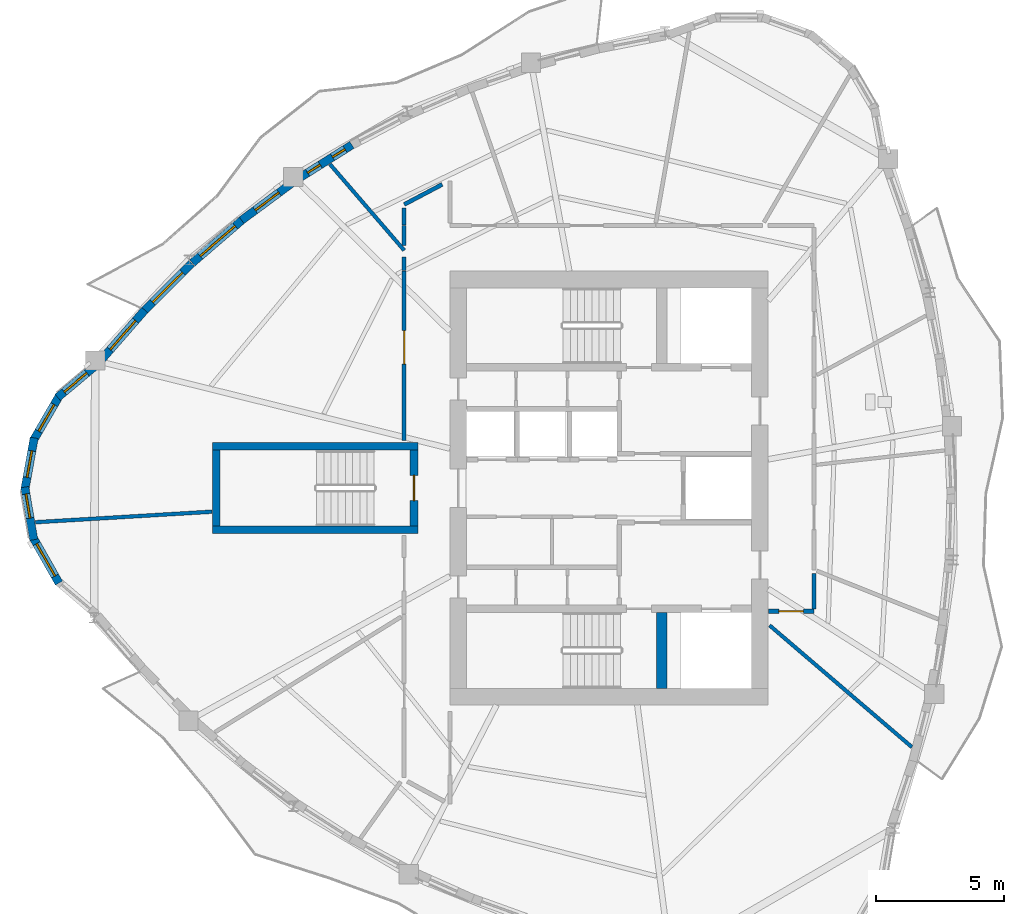
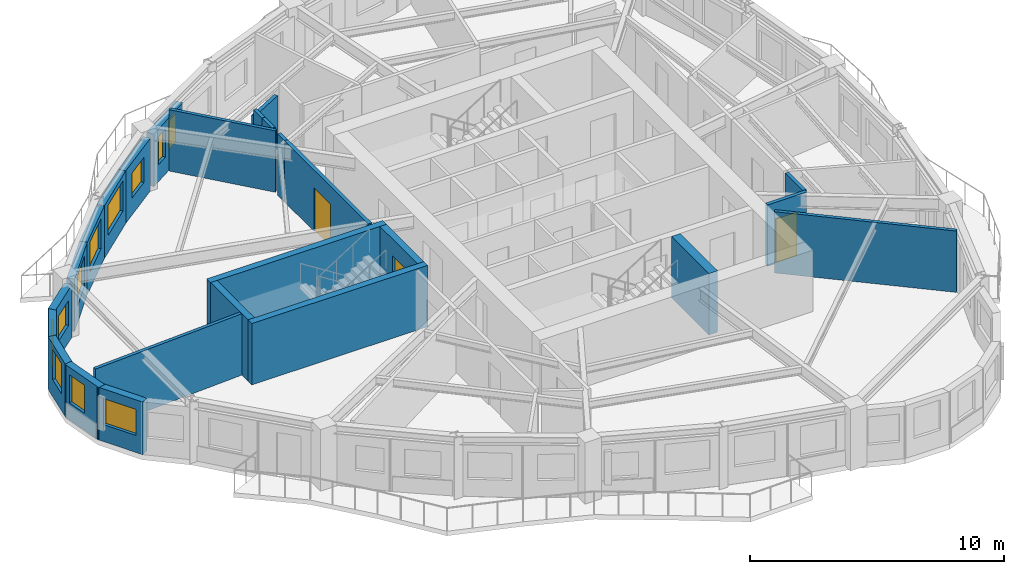
# One storey, part 4 of 12: 25 walls, 11 windows, 3 doors, 14 openings.
"""IFC4 building model written with IfcOpenShell, lengths in metres."""

from ifc_helpers import new_model, si_unit, direction, frame, frame_2d, origin, place, context, subcontext, project, spatial, rectangle, extrude, source, transform, mapped, material, layer, layer_set, type_object, element, fill, save


model = new_model("IFC4")

# Units and contexts
model_context = context("Model", 3, precision=1e-05, world=origin(), true_north=direction((0.0, 1.0)))
body_context = subcontext(model_context, "Body", "Model", "MODEL_VIEW")
ifc_project = project(units=[si_unit("LENGTHUNIT", "METRE"), si_unit("AREAUNIT", "SQUARE_METRE"), si_unit("VOLUMEUNIT", "CUBIC_METRE"), si_unit("PLANEANGLEUNIT", "RADIAN"), si_unit("MASSUNIT", "GRAM", prefix="KILO")], contexts=[model_context])

# Site, building, storey
site_placement = place(None, origin())
site = spatial("IfcSite", under=ifc_project, at=site_placement, CompositionType="ELEMENT")
building_placement = place(site_placement, origin())
building = spatial("IfcBuilding", under=site, at=building_placement, Name="Qafzar Sky-Pleat Residences", CompositionType="ELEMENT")
storey_placement = place(building_placement, frame((0.0, 0.0, 184.199951171875)))
storey = spatial("IfcBuildingStorey", under=building, at=storey_placement, Name="L55", CompositionType="ELEMENT", Elevation=184.199951171875)

# Wall, opening, door
ifc_material_1 = material(Name="Acoustic gypsum plasterboard partition", Category="gypsum")
ifc_layer_1 = layer(ifc_material_1, 0.159912109375)
ifc_layer_set_1 = layer_set([ifc_layer_1], Name="Acoustic gypsum plasterboard partition")
wall_type_1 = type_object("IfcWallType", Name="PART-COR-160", PredefinedType="PARTITIONING", material=ifc_layer_set_1)
wall_1_placement = place(storey_placement, frame((22.3701171875, 27.85009765625, 0.0), z_axis=(0.0, 0.0, 1.0), x_axis=(0.0, 1.0, 0.0)))
wall_1 = element("IfcWall", 1, at=wall_1_placement, inside=storey, type_object=wall_type_1, Name="L55 Partition Wall PART-L55-PW-001", PredefinedType="PARTITIONING", context=body_context, shape_type="SweptSolid", body=[
    extrude(rectangle(XDim=6.599853515625, YDim=0.159912109375, at=frame_2d((3.2998046875, 0.0))), origin(), (0.0, 0.0, 1.0), 2.949951171875),
])
opening_1_placement = place(wall_1_placement, frame((2.9814453125, 0.0, 0.0)))
opening_1 = element("IfcOpeningElement", 2, at=opening_1_placement, cuts=wall_1, Name="Opening ID-05", PredefinedType="OPENING", context=body_context, shape_type="SweptSolid", body=[
    extrude(rectangle(XDim=1.300048828125, YDim=2.10009765625, at=frame_2d((0.64990234375, 1.050048828125))), frame((0.0, 0.08984375, 0.0), z_axis=(0.0, -1.0, 0.0), x_axis=(1.0, 0.0, 0.0)), (0.0, 0.0, 1.0), 0.179931640625),
])
ifc_material_2 = material(Name="Timber-faced fire door", Category="wood")
door_type_1 = type_object("IfcDoorType", Name="DR-LNG-1300", OperationType="DOUBLE_DOOR_SINGLE_SWING", PredefinedType="DOOR", material=ifc_material_2)
shared_shape_1 = source(origin(), body_context, "Body", "SweptSolid", [
    extrude(rectangle(XDim=1.300048828125, YDim=2.10009765625, at=frame_2d((0.64990234375, 1.050048828125))), frame((0.0, 0.02490234375, 0.0), z_axis=(0.0, -1.0, 0.0), x_axis=(1.0, 0.0, 0.0)), (0.0, 0.0, 1.0), 0.050048828125),
])
door_1_placement = place(opening_1_placement, origin())
door_1 = element("IfcDoor", 3, at=door_1_placement, inside=storey, type_object=door_type_1, Name="L55 Tutorial Huddle Room Door", OperationType="DOUBLE_DOOR_SINGLE_SWING", OverallHeight=2.10009765625, OverallWidth=1.300048828125, PredefinedType="DOOR", context=body_context, shape_type="MappedRepresentation", body=[
    mapped(shared_shape_1, transform((0.0, 0.0, 0.0), x_axis=(1.0, 0.0, 0.0), y_axis=(0.0, 1.0, 0.0), z_axis=(0.0, 0.0, 1.0), scale=1.0)),
])
fill(opening_1, door_1)

wall_2_placement = place(storey_placement, frame((38.330078125, 21.199951171875, 0.0), z_axis=(0.0, 0.0, 1.0), x_axis=(-1.0, 0.0, 0.0)))
wall_2 = element("IfcWall", 4, at=wall_2_placement, inside=storey, type_object=wall_type_1, Name="L55 Partition Wall PART-L55-PW-011", PredefinedType="PARTITIONING", context=body_context, shape_type="SweptSolid", body=[
    extrude(rectangle(XDim=1.77197265625, YDim=0.159912109375, at=frame_2d((0.885986328125, 0.0))), origin(), (0.0, 0.0, 1.0), 2.949951171875),
])
opening_2_placement = place(wall_2_placement, frame((0.409912109375, 0.0, 0.0)))
opening_2 = element("IfcOpeningElement", 5, at=opening_2_placement, cuts=wall_2, Name="Opening ID-06", PredefinedType="OPENING", context=body_context, shape_type="SweptSolid", body=[
    extrude(rectangle(XDim=0.9599609375, YDim=2.10009765625, at=frame_2d((0.47998046875, 1.050048828125))), frame((0.0, 0.08984375, 0.0), z_axis=(0.0, -1.0, 0.0), x_axis=(1.0, 0.0, 0.0)), (0.0, 0.0, 1.0), 0.179931640625),
])
door_type_2 = type_object("IfcDoorType", Name="DR-STD-960", OperationType="NOTDEFINED", PredefinedType="DOOR", material=ifc_material_2)
shared_shape_2 = source(origin(), body_context, "Body", "SweptSolid", [
    extrude(rectangle(XDim=0.9599609375, YDim=2.10009765625, at=frame_2d((0.47998046875, 1.050048828125))), frame((0.0, 0.02490234375, 0.0), z_axis=(0.0, -1.0, 0.0), x_axis=(1.0, 0.0, 0.0)), (0.0, 0.0, 1.0), 0.050048828125),
])
door_2_placement = place(opening_2_placement, origin())
door_2 = element("IfcDoor", 6, at=door_2_placement, inside=storey, type_object=door_type_2, Name="L55 Reading Library Door", OperationType="SINGLE_SWING_RIGHT", OverallHeight=2.10009765625, OverallWidth=0.9599609375, PredefinedType="DOOR", context=body_context, shape_type="MappedRepresentation", body=[
    mapped(shared_shape_2, transform((0.0, 0.0, 0.0), x_axis=(1.0, 0.0, 0.0), y_axis=(0.0, 1.0, 0.0), z_axis=(0.0, 0.0, 1.0), scale=1.0)),
])
fill(opening_2, door_2)

# Walls
wall_3_placement = place(storey_placement, frame((22.3701171875, 37.044921875, 0.0), z_axis=(0.0, 0.0, 1.0), x_axis=(0.884434803915, 0.466663773635, 0.0)))
element("IfcWall", 7, at=wall_3_placement, inside=storey, type_object=wall_type_1, Name="L55 Partition Wall PART-L55-PW-027", PredefinedType="PARTITIONING", context=body_context, shape_type="SweptSolid", body=[
    extrude(rectangle(XDim=1.677734375, YDim=0.159912109375, at=frame_2d((0.8388671875, 0.0))), origin(), (0.0, 0.0, 1.0), 2.55810546875),
])
wall_4_placement = place(storey_placement, frame((38.330078125, 21.2880859375, 0.0), z_axis=(0.0, 0.0, 1.0), x_axis=(0.0, 1.0, 0.0)))
element("IfcWall", 8, at=wall_4_placement, inside=storey, type_object=wall_type_1, Name="L55 Partition Wall PART-L55-PW-028", PredefinedType="PARTITIONING", context=body_context, shape_type="SweptSolid", body=[
    extrude(rectangle(XDim=1.383056640625, YDim=0.159912109375, at=frame_2d((0.69140625, 0.0))), origin(), (0.0, 0.0, 1.0), 2.949951171875),
])
wall_5_placement = place(storey_placement, frame((22.3701171875, 35.447998046875, 0.0), z_axis=(0.0, 0.0, 1.0), x_axis=(0.0, 1.0, 0.0)))
element("IfcWall", 9, at=wall_5_placement, inside=storey, type_object=wall_type_1, Name="L55 Partition Wall PART-L55-PW-029", PredefinedType="PARTITIONING", context=body_context, shape_type="SweptSolid", body=[
    extrude(rectangle(XDim=0.781982421875, YDim=0.159912109375, at=frame_2d((0.39111328125, 0.0))), origin(), (0.0, 0.0, 1.0), 2.949951171875),
])
wall_6_placement = place(storey_placement, frame((22.3701171875, 36.2451171875, 0.0), z_axis=(0.0, 0.0, 1.0), x_axis=(0.0, 1.0, 0.0)))
element("IfcWall", 10, at=wall_6_placement, inside=storey, type_object=wall_type_1, Name="L55 Partition Wall PART-L55-PW-030", PredefinedType="PARTITIONING", context=body_context, shape_type="SweptSolid", body=[
    extrude(rectangle(XDim=0.6591796875, YDim=0.159912109375, at=frame_2d((0.32958984375, 0.0))), origin(), (0.0, 0.0, 1.0), 2.949951171875),
])
wall_7_placement = place(storey_placement, frame((22.3701171875, 34.465087890625, 0.0), z_axis=(0.0, 0.0, 1.0), x_axis=(0.0, 1.0, 0.0)))
element("IfcWall", 11, at=wall_7_placement, inside=storey, type_object=wall_type_1, Name="L55 Partition Wall PART-L55-PW-031", PredefinedType="PARTITIONING", context=body_context, shape_type="SweptSolid", body=[
    extrude(rectangle(XDim=0.5439453125, YDim=0.159912109375, at=frame_2d((0.27197265625, 0.0))), origin(), (0.0, 0.0, 1.0), 2.949951171875),
])
ifc_layer_2 = layer(ifc_material_1, 0.14501953125)
ifc_layer_set_2 = layer_set([ifc_layer_2], Name="Acoustic gypsum plasterboard partition")
wall_type_2 = type_object("IfcWallType", Name="PART-UNIT-145", PredefinedType="PARTITIONING", material=ifc_layer_set_2)
wall_8_placement = place(storey_placement, frame((36.603271484375, 20.650390625, 0.0), z_axis=(0.0, 0.0, 1.0), x_axis=(0.759924803985, -0.650010993975, 0.0)))
element("IfcWall", 12, at=wall_8_placement, inside=storey, type_object=wall_type_2, Name="L55 Partition Wall PART-L55-PW-014", PredefinedType="PARTITIONING", context=body_context, shape_type="SweptSolid", body=[
    extrude(rectangle(XDim=7.29443359375, YDim=0.14501953125, at=frame_2d((3.647216796875, 0.0))), origin(), (0.0, 0.0, 1.0), 2.949951171875),
])
wall_9_placement = place(storey_placement, frame((8.001220703125, 24.66748046875, 0.0), z_axis=(0.0, 0.0, 1.0), x_axis=(0.998224720456, 0.059560116444, 0.0)))
element("IfcWall", 13, at=wall_9_placement, inside=storey, type_object=wall_type_2, Name="L55 Partition Wall PART-L55-PW-015", PredefinedType="PARTITIONING", context=body_context, shape_type="SweptSolid", body=[
    extrude(rectangle(XDim=6.898681640625, YDim=0.14501953125, at=frame_2d((3.44921875, 0.0))), origin(), (0.0, 0.0, 1.0), 2.949951171875),
])
wall_10_placement = place(storey_placement, frame((19.477294921875, 38.61572265625, 0.0), z_axis=(0.0, 0.0, 1.0), x_axis=(0.652826266908, -0.757507666783, 0.0)))
element("IfcWall", 14, at=wall_10_placement, inside=storey, type_object=wall_type_2, Name="L55 Partition Wall PART-L55-PW-021", PredefinedType="PARTITIONING", context=body_context, shape_type="SweptSolid", body=[
    extrude(rectangle(XDim=4.43115234375, YDim=0.14501953125, at=frame_2d((2.215576171875, 0.0))), origin(), (0.0, 0.0, 1.0), 2.949951171875),
])

# Wall, opening, window
ifc_material_3 = material(Name="Precast concrete C40/50 with honed Riyadh limestone", Category="concrete")
ifc_layer_3 = layer(ifc_material_3, 0.320068359375)
ifc_layer_set_3 = layer_set([ifc_layer_3], Name="Precast concrete C40/50 with honed Riyadh limestone")
wall_type_3 = type_object("IfcWallType", Name="WALL-EXT-320", PredefinedType="SOLIDWALL", material=ifc_layer_set_3)
wall_11_placement = place(storey_placement, frame((10.314453125, 30.73828125, 0.0), z_axis=(0.0, 0.0, 1.0), x_axis=(-0.766567176116, -0.642164125829, 0.0)))
wall_11 = element("IfcWall", 15, at=wall_11_placement, inside=storey, type_object=wall_type_3, Name="L55 Limestone Facade Wall 1", PredefinedType="SOLIDWALL", context=body_context, shape_type="SweptSolid", body=[
    extrude(rectangle(XDim=1.878173828125, YDim=0.320068359375, at=frame_2d((0.93896484375, 0.0))), origin(), (0.0, 0.0, 1.0), 2.530029296875),
])
opening_3_placement = place(wall_11_placement, frame((0.39892578125, 0.0, 0.820068359375)))
opening_3 = element("IfcOpeningElement", 16, at=opening_3_placement, cuts=wall_11, Name="Opening WN-16", PredefinedType="OPENING", context=body_context, shape_type="SweptSolid", body=[
    extrude(rectangle(XDim=1.14990234375, YDim=1.199951171875, at=frame_2d((0.574951171875, 0.60009765625))), frame((0.0, 0.169921875, 0.0), z_axis=(0.0, -1.0, 0.0), x_axis=(1.0, 0.0, 0.0)), (0.0, 0.0, 1.0), 0.340087890625),
])
ifc_material_4 = material(Name="Solar-control low-E glass in bronze aluminium frame", Category="glass")
window_type_1 = type_object("IfcWindowType", Name="WIN-16", PartitioningType="SINGLE_PANEL", PredefinedType="WINDOW", material=ifc_material_4)
shared_shape_3 = source(origin(), body_context, "Body", "SweptSolid", [
    extrude(rectangle(XDim=1.14990234375, YDim=1.199951171875, at=frame_2d((0.574951171875, 0.60009765625))), frame((0.0, 0.030029296875, 0.0), z_axis=(0.0, -1.0, 0.0), x_axis=(1.0, 0.0, 0.0)), (0.0, 0.0, 1.0), 0.06005859375),
])
window_1_placement = place(opening_3_placement, origin())
window_1 = element("IfcWindow", 17, at=window_1_placement, inside=storey, type_object=window_type_1, Name="L55 Punched Facade Window 01", OverallHeight=1.199951171875, OverallWidth=1.14990234375, PartitioningType="SINGLE_PANEL", PredefinedType="WINDOW", context=body_context, shape_type="MappedRepresentation", body=[
    mapped(shared_shape_3, transform((0.0, 0.0, 0.0), x_axis=(1.0, 0.0, 0.0), y_axis=(0.0, 1.0, 0.0), z_axis=(0.0, 0.0, 1.0), scale=1.0)),
])
fill(opening_3, window_1)

wall_12_placement = place(storey_placement, frame((8.95849609375, 29.6318359375, 0.0), z_axis=(0.0, 0.0, 1.0), x_axis=(-0.502053430046, -0.864836605018, 0.0)))
wall_12 = element("IfcWall", 18, at=wall_12_placement, inside=storey, type_object=wall_type_3, Name="L55 Limestone Facade Wall 2", PredefinedType="SOLIDWALL", context=body_context, shape_type="SweptSolid", body=[
    extrude(rectangle(XDim=2.080810546875, YDim=0.320068359375, at=frame_2d((1.04052734375, 0.0))), origin(), (0.0, 0.0, 1.0), 2.530029296875),
])
opening_4_placement = place(wall_12_placement, frame((0.4404296875, 0.0, 0.820068359375)))
opening_4 = element("IfcOpeningElement", 19, at=opening_4_placement, cuts=wall_12, Name="Opening WN-05", PredefinedType="OPENING", context=body_context, shape_type="SweptSolid", body=[
    extrude(rectangle(XDim=1.199951171875, YDim=1.449951171875, at=frame_2d((0.60009765625, 0.72509765625))), frame((0.0, 0.169921875, 0.0), z_axis=(0.0, -1.0, 0.0), x_axis=(1.0, 0.0, 0.0)), (0.0, 0.0, 1.0), 0.340087890625),
])
window_type_2 = type_object("IfcWindowType", Name="WIN-05", PartitioningType="SINGLE_PANEL", PredefinedType="WINDOW", material=ifc_material_4)
shared_shape_4 = source(origin(), body_context, "Body", "SweptSolid", [
    extrude(rectangle(XDim=1.199951171875, YDim=1.449951171875, at=frame_2d((0.60009765625, 0.72509765625))), frame((0.0, 0.030029296875, 0.0), z_axis=(0.0, -1.0, 0.0), x_axis=(1.0, 0.0, 0.0)), (0.0, 0.0, 1.0), 0.06005859375),
])
window_2_placement = place(opening_4_placement, origin())
window_2 = element("IfcWindow", 20, at=window_2_placement, inside=storey, type_object=window_type_2, Name="L55 Punched Facade Window 02", OverallHeight=1.449951171875, OverallWidth=1.199951171875, PartitioningType="SINGLE_PANEL", PredefinedType="WINDOW", context=body_context, shape_type="MappedRepresentation", body=[
    mapped(shared_shape_4, transform((0.0, 0.0, 0.0), x_axis=(1.0, 0.0, 0.0), y_axis=(0.0, 1.0, 0.0), z_axis=(0.0, 0.0, 1.0), scale=1.0)),
])
fill(opening_4, window_2)

wall_13_placement = place(storey_placement, frame((7.95849609375, 27.954345703125, 0.0), z_axis=(0.0, 0.0, 1.0), x_axis=(-0.177625721103, -0.984098116654, 0.0)))
wall_13 = element("IfcWall", 21, at=wall_13_placement, inside=storey, type_object=wall_type_3, Name="L55 Limestone Facade Wall 3", PredefinedType="SOLIDWALL", context=body_context, shape_type="SweptSolid", body=[
    extrude(rectangle(XDim=2.0810546875, YDim=0.320068359375, at=frame_2d((1.04052734375, 0.0))), origin(), (0.0, 0.0, 1.0), 2.530029296875),
])
opening_5_placement = place(wall_13_placement, frame((0.515380859375, 0.0, 0.820068359375)))
opening_5 = element("IfcOpeningElement", 22, at=opening_5_placement, cuts=wall_13, Name="Opening WN-06", PredefinedType="OPENING", context=body_context, shape_type="SweptSolid", body=[
    extrude(rectangle(XDim=1.050048828125, YDim=1.449951171875, at=frame_2d((0.52490234375, 0.72509765625))), frame((0.0, 0.169921875, 0.0), z_axis=(0.0, -1.0, 0.0), x_axis=(1.0, 0.0, 0.0)), (0.0, 0.0, 1.0), 0.340087890625),
])
window_type_3 = type_object("IfcWindowType", Name="WIN-06", PartitioningType="SINGLE_PANEL", PredefinedType="WINDOW", material=ifc_material_4)
shared_shape_5 = source(origin(), body_context, "Body", "SweptSolid", [
    extrude(rectangle(XDim=1.050048828125, YDim=1.449951171875, at=frame_2d((0.52490234375, 0.72509765625))), frame((0.0, 0.030029296875, 0.0), z_axis=(0.0, -1.0, 0.0), x_axis=(1.0, 0.0, 0.0)), (0.0, 0.0, 1.0), 0.06005859375),
])
window_3_placement = place(opening_5_placement, origin())
window_3 = element("IfcWindow", 23, at=window_3_placement, inside=storey, type_object=window_type_3, Name="L55 Punched Facade Window 03", OverallHeight=1.449951171875, OverallWidth=1.050048828125, PartitioningType="SINGLE_PANEL", PredefinedType="WINDOW", context=body_context, shape_type="MappedRepresentation", body=[
    mapped(shared_shape_5, transform((0.0, 0.0, 0.0), x_axis=(1.0, 0.0, 0.0), y_axis=(0.0, 1.0, 0.0), z_axis=(0.0, 0.0, 1.0), scale=1.0)),
])
fill(opening_5, window_3)

wall_14_placement = place(storey_placement, frame((7.589599609375, 26.03662109375, 0.0), z_axis=(0.0, 0.0, 1.0), x_axis=(0.167993405511, -0.985788119073, 0.0)))
wall_14 = element("IfcWall", 24, at=wall_14_placement, inside=storey, type_object=wall_type_3, Name="L55 Limestone Facade Wall 4", PredefinedType="SOLIDWALL", context=body_context, shape_type="SweptSolid", body=[
    extrude(rectangle(XDim=2.0810546875, YDim=0.320068359375, at=frame_2d((1.04052734375, 0.0))), origin(), (0.0, 0.0, 1.0), 2.530029296875),
])
opening_6_placement = place(wall_14_placement, frame((0.27294921875, 0.0, 0.820068359375)))
opening_6 = element("IfcOpeningElement", 25, at=opening_6_placement, cuts=wall_14, Name="Opening WN-12", PredefinedType="OPENING", context=body_context, shape_type="SweptSolid", body=[
    extrude(rectangle(XDim=0.949951171875, YDim=1.35009765625, at=frame_2d((0.47509765625, 0.675048828125))), frame((0.0, 0.169921875, 0.0), z_axis=(0.0, -1.0, 0.0), x_axis=(1.0, 0.0, 0.0)), (0.0, 0.0, 1.0), 0.340087890625),
])
window_type_4 = type_object("IfcWindowType", Name="WIN-12", PartitioningType="SINGLE_PANEL", PredefinedType="WINDOW", material=ifc_material_4)
shared_shape_6 = source(origin(), body_context, "Body", "SweptSolid", [
    extrude(rectangle(XDim=0.949951171875, YDim=1.35009765625, at=frame_2d((0.47509765625, 0.675048828125))), frame((0.0, 0.030029296875, 0.0), z_axis=(0.0, -1.0, 0.0), x_axis=(1.0, 0.0, 0.0)), (0.0, 0.0, 1.0), 0.06005859375),
])
window_4_placement = place(opening_6_placement, origin())
window_4 = element("IfcWindow", 26, at=window_4_placement, inside=storey, type_object=window_type_4, Name="L55 Punched Facade Window 04", OverallHeight=1.35009765625, OverallWidth=0.949951171875, PartitioningType="SINGLE_PANEL", PredefinedType="WINDOW", context=body_context, shape_type="MappedRepresentation", body=[
    mapped(shared_shape_6, transform((0.0, 0.0, 0.0), x_axis=(1.0, 0.0, 0.0), y_axis=(0.0, 1.0, 0.0), z_axis=(0.0, 0.0, 1.0), scale=1.0)),
])
fill(opening_6, window_4)

wall_15_placement = place(storey_placement, frame((7.8955078125, 24.107666015625, 0.0), z_axis=(0.0, 0.0, 1.0), x_axis=(0.493660675866, -0.869654607936, 0.0)))
wall_15 = element("IfcWall", 27, at=wall_15_placement, inside=storey, type_object=wall_type_3, Name="L55 Limestone Facade Wall 5", PredefinedType="SOLIDWALL", context=body_context, shape_type="SweptSolid", body=[
    extrude(rectangle(XDim=2.0810546875, YDim=0.320068359375, at=frame_2d((1.04052734375, 0.0))), origin(), (0.0, 0.0, 1.0), 2.530029296875),
])
opening_7_placement = place(wall_15_placement, frame((0.3154296875, 0.0, 0.820068359375)))
opening_7 = element("IfcOpeningElement", 28, at=opening_7_placement, cuts=wall_15, Name="Opening WN-15", PredefinedType="OPENING", context=body_context, shape_type="SweptSolid", body=[
    extrude(rectangle(XDim=1.449951171875, YDim=1.25, at=frame_2d((0.72509765625, 0.625))), frame((0.0, 0.169921875, 0.0), z_axis=(0.0, -1.0, 0.0), x_axis=(1.0, 0.0, 0.0)), (0.0, 0.0, 1.0), 0.340087890625),
])
window_type_5 = type_object("IfcWindowType", Name="WIN-15", PartitioningType="SINGLE_PANEL", PredefinedType="WINDOW", material=ifc_material_4)
shared_shape_7 = source(origin(), body_context, "Body", "SweptSolid", [
    extrude(rectangle(XDim=1.449951171875, YDim=1.25, at=frame_2d((0.72509765625, 0.625))), frame((0.0, 0.030029296875, 0.0), z_axis=(0.0, -1.0, 0.0), x_axis=(1.0, 0.0, 0.0)), (0.0, 0.0, 1.0), 0.06005859375),
])
window_5_placement = place(opening_7_placement, origin())
window_5 = element("IfcWindow", 29, at=window_5_placement, inside=storey, type_object=window_type_5, Name="L55 Punched Facade Window 05", OverallHeight=1.25, OverallWidth=1.449951171875, PartitioningType="SINGLE_PANEL", PredefinedType="WINDOW", context=body_context, shape_type="MappedRepresentation", body=[
    mapped(shared_shape_7, transform((0.0, 0.0, 0.0), x_axis=(1.0, 0.0, 0.0), y_axis=(0.0, 1.0, 0.0), z_axis=(0.0, 0.0, 1.0), scale=1.0)),
])
fill(opening_7, window_5)

# Wall, openings, windows
wall_16_placement = place(storey_placement, frame((20.333984375, 39.365966796875, 0.0), z_axis=(0.0, 0.0, 1.0), x_axis=(-0.84643016858, -0.532499736825, 0.0)))
wall_16 = element("IfcWall", 30, at=wall_16_placement, inside=storey, type_object=wall_type_3, Name="L55 Limestone Facade Wall 44", PredefinedType="SOLIDWALL", context=body_context, shape_type="SweptSolid", body=[
    extrude(rectangle(XDim=2.437255859375, YDim=0.320068359375, at=frame_2d((1.21875, 0.0))), origin(), (0.0, 0.0, 1.0), 2.530029296875),
])
opening_8_placement = place(wall_16_placement, frame((0.314697265625, 0.0, 0.820068359375)))
opening_8 = element("IfcOpeningElement", 31, at=opening_8_placement, cuts=wall_16, Name="Opening WN-17", PredefinedType="OPENING", context=body_context, shape_type="SweptSolid", body=[
    extrude(rectangle(XDim=0.580078125, YDim=1.35009765625, at=frame_2d((0.2900390625, 0.675048828125))), frame((0.0, 0.169921875, 0.0), z_axis=(0.0, -1.0, 0.0), x_axis=(1.0, 0.0, 0.0)), (0.0, 0.0, 1.0), 0.340087890625),
])
opening_9_placement = place(wall_16_placement, frame((1.45849609375, 0.0, 0.820068359375)))
opening_9 = element("IfcOpeningElement", 32, at=opening_9_placement, cuts=wall_16, Name="Opening WN-17", PredefinedType="OPENING", context=body_context, shape_type="SweptSolid", body=[
    extrude(rectangle(XDim=0.580078125, YDim=1.35009765625, at=frame_2d((0.2900390625, 0.675048828125))), frame((0.0, 0.169921875, 0.0), z_axis=(0.0, -1.0, 0.0), x_axis=(1.0, 0.0, 0.0)), (0.0, 0.0, 1.0), 0.340087890625),
])
window_type_6 = type_object("IfcWindowType", Name="WIN-17", PartitioningType="SINGLE_PANEL", PredefinedType="WINDOW", material=ifc_material_4)
shared_shape_8 = source(origin(), body_context, "Body", "SweptSolid", [
    extrude(rectangle(XDim=0.580078125, YDim=1.35009765625, at=frame_2d((0.2900390625, 0.675048828125))), frame((0.0, 0.030029296875, 0.0), z_axis=(0.0, -1.0, 0.0), x_axis=(1.0, 0.0, 0.0)), (0.0, 0.0, 1.0), 0.06005859375),
])
window_6_placement = place(opening_8_placement, origin())
window_6 = element("IfcWindow", 33, at=window_6_placement, inside=storey, type_object=window_type_6, Name="L55 Punched Facade Window 44", OverallHeight=1.35009765625, OverallWidth=0.580078125, PartitioningType="SINGLE_PANEL", PredefinedType="WINDOW", context=body_context, shape_type="MappedRepresentation", body=[
    mapped(shared_shape_8, transform((0.0, 0.0, 0.0), x_axis=(1.0, 0.0, 0.0), y_axis=(0.0, 1.0, 0.0), z_axis=(0.0, 0.0, 1.0), scale=1.0)),
])
fill(opening_8, window_6)
window_7_placement = place(opening_9_placement, origin())
window_7 = element("IfcWindow", 34, at=window_7_placement, inside=storey, type_object=window_type_6, Name="L55 Punched Facade Window 44-2", OverallHeight=1.35009765625, OverallWidth=0.580078125, PartitioningType="SINGLE_PANEL", PredefinedType="WINDOW", context=body_context, shape_type="MappedRepresentation", body=[
    mapped(shared_shape_8, transform((0.0, 0.0, 0.0), x_axis=(1.0, 0.0, 0.0), y_axis=(0.0, 1.0, 0.0), z_axis=(0.0, 0.0, 1.0), scale=1.0)),
])
fill(opening_9, window_7)

# Wall, opening, window
wall_17_placement = place(storey_placement, frame((18.0087890625, 37.888916015625, 0.0), z_axis=(0.0, 0.0, 1.0), x_axis=(-0.803878079338, -0.594794110226, 0.0)))
wall_17 = element("IfcWall", 35, at=wall_17_placement, inside=storey, type_object=wall_type_3, Name="L55 Limestone Facade Wall 45", PredefinedType="SOLIDWALL", context=body_context, shape_type="SweptSolid", body=[
    extrude(rectangle(XDim=2.4521484375, YDim=0.320068359375, at=frame_2d((1.22607421875, 0.0))), origin(), (0.0, 0.0, 1.0), 2.530029296875),
])
opening_10_placement = place(wall_17_placement, frame((0.64599609375, 0.0, 0.820068359375)))
opening_10 = element("IfcOpeningElement", 36, at=opening_10_placement, cuts=wall_17, Name="Opening WN-16", PredefinedType="OPENING", context=body_context, shape_type="SweptSolid", body=[
    extrude(rectangle(XDim=1.14990234375, YDim=1.199951171875, at=frame_2d((0.574951171875, 0.60009765625))), frame((0.0, 0.169921875, 0.0), z_axis=(0.0, -1.0, 0.0), x_axis=(1.0, 0.0, 0.0)), (0.0, 0.0, 1.0), 0.340087890625),
])
window_8_placement = place(opening_10_placement, origin())
window_8 = element("IfcWindow", 37, at=window_8_placement, inside=storey, type_object=window_type_1, Name="L55 Punched Facade Window 45", OverallHeight=1.199951171875, OverallWidth=1.14990234375, PartitioningType="SINGLE_PANEL", PredefinedType="WINDOW", context=body_context, shape_type="MappedRepresentation", body=[
    mapped(shared_shape_3, transform((0.0, 0.0, 0.0), x_axis=(1.0, 0.0, 0.0), y_axis=(0.0, 1.0, 0.0), z_axis=(0.0, 0.0, 1.0), scale=1.0)),
])
fill(opening_10, window_8)

wall_18_placement = place(storey_placement, frame((16.106201171875, 36.485107421875, 0.0), z_axis=(0.0, 0.0, 1.0), x_axis=(-0.757462274619, -0.652878934052, 0.0)))
wall_18 = element("IfcWall", 38, at=wall_18_placement, inside=storey, type_object=wall_type_3, Name="L55 Limestone Facade Wall 46", PredefinedType="SOLIDWALL", context=body_context, shape_type="SweptSolid", body=[
    extrude(rectangle(XDim=2.626220703125, YDim=0.320068359375, at=frame_2d((1.31298828125, 0.0))), origin(), (0.0, 0.0, 1.0), 2.530029296875),
])
opening_11_placement = place(wall_18_placement, frame((0.423095703125, 0.0, 0.820068359375)))
opening_11 = element("IfcOpeningElement", 39, at=opening_11_placement, cuts=wall_18, Name="Opening WN-01", PredefinedType="OPENING", context=body_context, shape_type="SweptSolid", body=[
    extrude(rectangle(XDim=1.800048828125, YDim=1.449951171875, at=frame_2d((0.89990234375, 0.72509765625))), frame((0.0, 0.169921875, 0.0), z_axis=(0.0, -1.0, 0.0), x_axis=(1.0, 0.0, 0.0)), (0.0, 0.0, 1.0), 0.340087890625),
])
window_type_7 = type_object("IfcWindowType", Name="WIN-01", PartitioningType="DOUBLE_PANEL_VERTICAL", PredefinedType="WINDOW", material=ifc_material_4)
shared_shape_9 = source(origin(), body_context, "Body", "SweptSolid", [
    extrude(rectangle(XDim=1.800048828125, YDim=1.449951171875, at=frame_2d((0.89990234375, 0.72509765625))), frame((0.0, 0.030029296875, 0.0), z_axis=(0.0, -1.0, 0.0), x_axis=(1.0, 0.0, 0.0)), (0.0, 0.0, 1.0), 0.06005859375),
])
window_9_placement = place(opening_11_placement, origin())
window_9 = element("IfcWindow", 40, at=window_9_placement, inside=storey, type_object=window_type_7, Name="L55 Punched Facade Window 46", OverallHeight=1.449951171875, OverallWidth=1.800048828125, PartitioningType="SINGLE_PANEL", PredefinedType="WINDOW", context=body_context, shape_type="MappedRepresentation", body=[
    mapped(shared_shape_9, transform((0.0, 0.0, 0.0), x_axis=(1.0, 0.0, 0.0), y_axis=(0.0, 1.0, 0.0), z_axis=(0.0, 0.0, 1.0), scale=1.0)),
])
fill(opening_11, window_9)

wall_19_placement = place(storey_placement, frame((14.09619140625, 34.751220703125, 0.0), z_axis=(0.0, 0.0, 1.0), x_axis=(-0.708385947823, -0.705825296321, 0.0)))
wall_19 = element("IfcWall", 41, at=wall_19_placement, inside=storey, type_object=wall_type_3, Name="L55 Limestone Facade Wall 47", PredefinedType="SOLIDWALL", context=body_context, shape_type="SweptSolid", body=[
    extrude(rectangle(XDim=2.669677734375, YDim=0.320068359375, at=frame_2d((1.3349609375, 0.0))), origin(), (0.0, 0.0, 1.0), 2.530029296875),
])
opening_12_placement = place(wall_19_placement, frame((0.499755859375, 0.0, 0.820068359375)))
opening_12 = element("IfcOpeningElement", 42, at=opening_12_placement, cuts=wall_19, Name="Opening WN-02", PredefinedType="OPENING", context=body_context, shape_type="SweptSolid", body=[
    extrude(rectangle(XDim=1.64990234375, YDim=1.449951171875, at=frame_2d((0.824951171875, 0.72509765625))), frame((0.0, 0.169921875, 0.0), z_axis=(0.0, -1.0, 0.0), x_axis=(1.0, 0.0, 0.0)), (0.0, 0.0, 1.0), 0.340087890625),
])
window_type_8 = type_object("IfcWindowType", Name="WIN-02", PartitioningType="DOUBLE_PANEL_VERTICAL", PredefinedType="WINDOW", material=ifc_material_4)
shared_shape_10 = source(origin(), body_context, "Body", "SweptSolid", [
    extrude(rectangle(XDim=1.64990234375, YDim=1.449951171875, at=frame_2d((0.824951171875, 0.72509765625))), frame((0.0, 0.030029296875, 0.0), z_axis=(0.0, -1.0, 0.0), x_axis=(1.0, 0.0, 0.0)), (0.0, 0.0, 1.0), 0.06005859375),
])
window_10_placement = place(opening_12_placement, origin())
window_10 = element("IfcWindow", 43, at=window_10_placement, inside=storey, type_object=window_type_8, Name="L55 Punched Facade Window 47", OverallHeight=1.449951171875, OverallWidth=1.64990234375, PartitioningType="SINGLE_PANEL", PredefinedType="WINDOW", context=body_context, shape_type="MappedRepresentation", body=[
    mapped(shared_shape_10, transform((0.0, 0.0, 0.0), x_axis=(1.0, 0.0, 0.0), y_axis=(0.0, 1.0, 0.0), z_axis=(0.0, 0.0, 1.0), scale=1.0)),
])
fill(opening_12, window_10)

wall_20_placement = place(storey_placement, frame((12.2646484375, 32.9306640625, 0.0), z_axis=(0.0, 0.0, 1.0), x_axis=(-0.65762697751, -0.753343718664, 0.0)))
wall_20 = element("IfcWall", 44, at=wall_20_placement, inside=storey, type_object=wall_type_3, Name="L55 Limestone Facade Wall 48", PredefinedType="SOLIDWALL", context=body_context, shape_type="SweptSolid", body=[
    extrude(rectangle(XDim=2.581298828125, YDim=0.320068359375, at=frame_2d((1.29052734375, 0.0))), origin(), (0.0, 0.0, 1.0), 2.530029296875),
])
opening_13_placement = place(wall_20_placement, frame((0.545654296875, 0.0, 0.820068359375)))
opening_13 = element("IfcOpeningElement", 45, at=opening_13_placement, cuts=wall_20, Name="Opening WN-03", PredefinedType="OPENING", context=body_context, shape_type="SweptSolid", body=[
    extrude(rectangle(XDim=1.5, YDim=1.449951171875, at=frame_2d((0.75, 0.72509765625))), frame((0.0, 0.169921875, 0.0), z_axis=(0.0, -1.0, 0.0), x_axis=(1.0, 0.0, 0.0)), (0.0, 0.0, 1.0), 0.340087890625),
])
window_type_9 = type_object("IfcWindowType", Name="WIN-03", PartitioningType="DOUBLE_PANEL_VERTICAL", PredefinedType="WINDOW", material=ifc_material_4)
shared_shape_11 = source(origin(), body_context, "Body", "SweptSolid", [
    extrude(rectangle(XDim=1.5, YDim=1.449951171875, at=frame_2d((0.75, 0.72509765625))), frame((0.0, 0.030029296875, 0.0), z_axis=(0.0, -1.0, 0.0), x_axis=(1.0, 0.0, 0.0)), (0.0, 0.0, 1.0), 0.06005859375),
])
window_11_placement = place(opening_13_placement, origin())
window_11 = element("IfcWindow", 46, at=window_11_placement, inside=storey, type_object=window_type_9, Name="L55 Punched Facade Window 48", OverallHeight=1.449951171875, OverallWidth=1.5, PartitioningType="SINGLE_PANEL", PredefinedType="WINDOW", context=body_context, shape_type="MappedRepresentation", body=[
    mapped(shared_shape_11, transform((0.0, 0.0, 0.0), x_axis=(1.0, 0.0, 0.0), y_axis=(0.0, 1.0, 0.0), z_axis=(0.0, 0.0, 1.0), scale=1.0)),
])
fill(opening_13, window_11)

# Walls
ifc_material_5 = material(Name="Concrete C60/75", Category="concrete")
ifc_layer_4 = layer(ifc_material_5, 0.300048828125)
ifc_layer_set_4 = layer_set([ifc_layer_4], Name="Concrete C60/75")
wall_type_4 = type_object("IfcWallType", Name="WALL-SHEAR-300", PredefinedType="SHEAR", material=ifc_layer_set_4)
for number, where, z_axis, x_axis, name in (
    (47, (14.89990234375, 24.375, 0.0), (0.0, 0.0, 1.0), (1.0, 0.0, 0.0), "L55 ST3 wall S"),
    (48, (22.89990234375, 27.625, 0.0), (0.0, 0.0, 1.0), (-1.0, 0.0, 0.0), "L55 ST3 wall N"),
):
    element("IfcWall", number, at=place(storey_placement, frame(where, z_axis=z_axis, x_axis=x_axis)), inside=storey, type_object=wall_type_4, Name=name, PredefinedType="SHEAR", context=body_context, shape_type="SweptSolid", body=[
        extrude(rectangle(XDim=8.0, YDim=0.300048828125, at=frame_2d((4.0, 0.0))), origin(), (0.0, 0.0, 1.0), 2.949951171875),
    ])
wall_21_placement = place(storey_placement, frame((15.050048828125, 27.47509765625, 0.0), z_axis=(0.0, 0.0, 1.0), x_axis=(0.0, -1.0, 0.0)))
element("IfcWall", 49, at=wall_21_placement, inside=storey, type_object=wall_type_4, Name="L55 ST3 wall W", PredefinedType="SHEAR", context=body_context, shape_type="SweptSolid", body=[
    extrude(rectangle(XDim=2.9501953125, YDim=0.300048828125, at=frame_2d((1.47509765625, 0.0))), origin(), (0.0, 0.0, 1.0), 2.949951171875),
])

# Wall, opening, door
wall_22_placement = place(storey_placement, frame((22.75, 24.52490234375, 0.0), z_axis=(0.0, 0.0, 1.0), x_axis=(0.0, 1.0, 0.0)))
wall_22 = element("IfcWall", 50, at=wall_22_placement, inside=storey, type_object=wall_type_4, Name="L55 ST3 wall E", PredefinedType="SHEAR", context=body_context, shape_type="SweptSolid", body=[
    extrude(rectangle(XDim=2.9501953125, YDim=0.300048828125, at=frame_2d((1.47509765625, 0.0))), origin(), (0.0, 0.0, 1.0), 2.949951171875),
])
opening_14_placement = place(wall_22_placement, frame((0.985107421875, 0.0, 0.0)))
opening_14 = element("IfcOpeningElement", 51, at=opening_14_placement, cuts=wall_22, Name="Opening ID-01", PredefinedType="OPENING", context=body_context, shape_type="SweptSolid", body=[
    extrude(rectangle(XDim=0.97998046875, YDim=2.14990234375, at=frame_2d((0.489990234375, 1.074951171875))), frame((0.0, 0.16015625, 0.0), z_axis=(0.0, -1.0, 0.0), x_axis=(1.0, 0.0, 0.0)), (0.0, 0.0, 1.0), 0.320068359375),
])
door_type_3 = type_object("IfcDoorType", Name="DR-STAIR-980", OperationType="NOTDEFINED", PredefinedType="DOOR", material=ifc_material_2)
shared_shape_12 = source(origin(), body_context, "Body", "SweptSolid", [
    extrude(rectangle(XDim=0.97998046875, YDim=2.14990234375, at=frame_2d((0.489990234375, 1.074951171875))), frame((0.0, 0.02490234375, 0.0), z_axis=(0.0, -1.0, 0.0), x_axis=(1.0, 0.0, 0.0)), (0.0, 0.0, 1.0), 0.050048828125),
])
door_3_placement = place(opening_14_placement, origin())
door_3 = element("IfcDoor", 52, at=door_3_placement, inside=storey, type_object=door_type_3, Name="L55 Stair ST3 Fire Door", OperationType="SINGLE_SWING_LEFT", OverallHeight=2.14990234375, OverallWidth=0.97998046875, PredefinedType="DOOR", context=body_context, shape_type="MappedRepresentation", body=[
    mapped(shared_shape_12, transform((0.0, 0.0, 0.0), x_axis=(1.0, 0.0, 0.0), y_axis=(0.0, 1.0, 0.0), z_axis=(0.0, 0.0, 1.0), scale=1.0)),
])
fill(opening_14, door_3)

# Wall
ifc_layer_5 = layer(ifc_material_5, 0.39990234375)
ifc_layer_set_5 = layer_set([ifc_layer_5], Name="Concrete C60/75")
wall_type_5 = type_object("IfcWallType", Name="WALL-SHEAR-400", PredefinedType="SHEAR", material=ifc_layer_set_5)
wall_23_placement = place(storey_placement, frame((32.39990234375, 18.199951171875, 0.0), z_axis=(0.0, 0.0, 1.0), x_axis=(0.0, 1.0, 0.0)))
element("IfcWall", 53, at=wall_23_placement, inside=storey, type_object=wall_type_5, Name="L55 Stair ST1 East Dividing Wall", PredefinedType="SHEAR", context=body_context, shape_type="SweptSolid", body=[
    extrude(rectangle(XDim=2.949951171875, YDim=0.39990234375, at=frame_2d((1.47509765625, 0.0))), origin(), (0.0, 0.0, 1.0), 2.949951171875),
])

save(model, "model.ifc")
